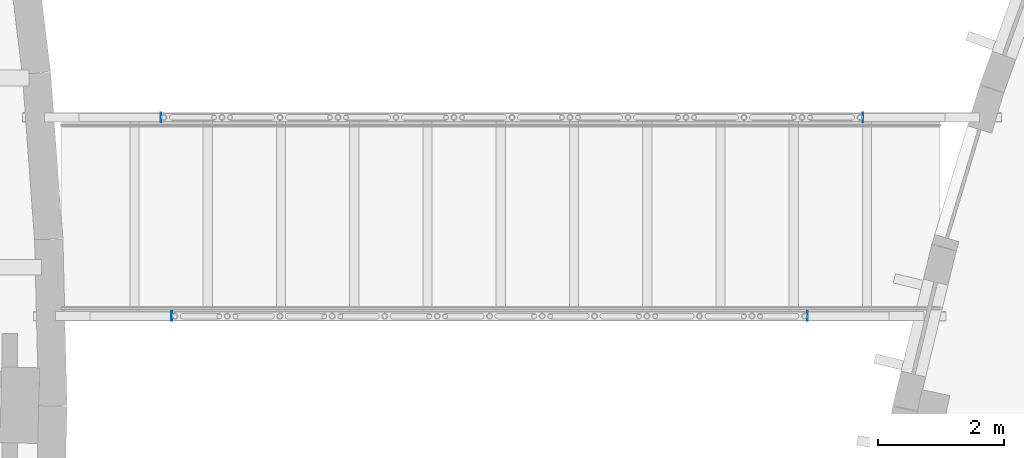
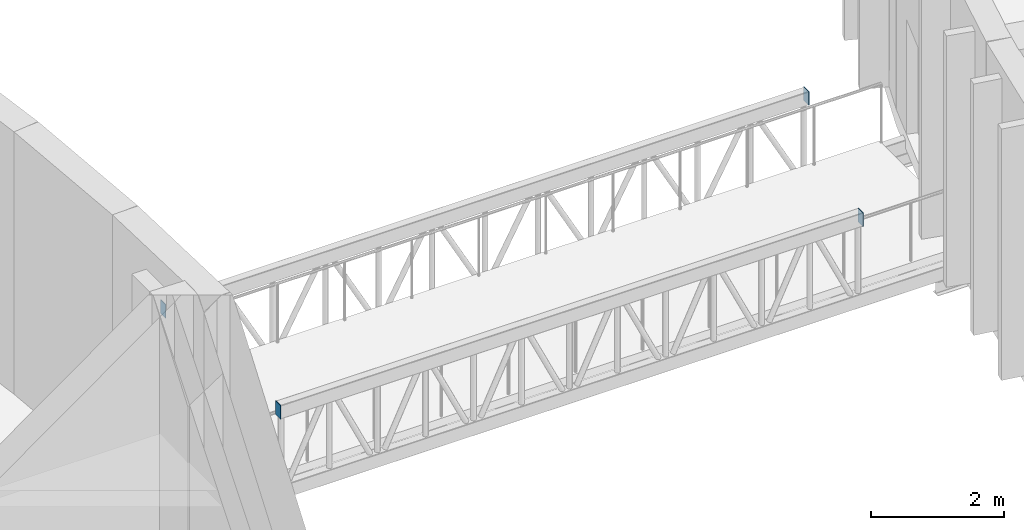
# One storey, part 50 of 93: 4 plates.
"""IFC4 building model written with IfcOpenShell, lengths in metres."""

from ifc_helpers import new_model, si_unit, direction, frame, origin, origin_2d, place, context, subcontext, project, spatial, rectangle, extrude, material, layer, layer_set, type_object, element, save


model = new_model("IFC4")

# Units and contexts
model_context = context("Model", 3, precision=1e-05, world=origin(), true_north=direction((0.0, 1.0)))
body_context = subcontext(model_context, "Body", "Model", "MODEL_VIEW")
ifc_project = project(units=[si_unit("LENGTHUNIT", "METRE"), si_unit("AREAUNIT", "SQUARE_METRE"), si_unit("VOLUMEUNIT", "CUBIC_METRE"), si_unit("PLANEANGLEUNIT", "RADIAN"), si_unit("MASSUNIT", "GRAM", prefix="KILO")], contexts=[model_context])

# Site, building, storey
site_placement = place(None, origin())
site = spatial("IfcSite", under=ifc_project, at=site_placement, CompositionType="ELEMENT")
building_placement = place(site_placement, origin())
building = spatial("IfcBuilding", under=site, at=building_placement, Name="Tide Square Theatres", CompositionType="ELEMENT")
storey_placement = place(building_placement, frame((0.0, 0.0, 5.39990234375)))
storey = spatial("IfcBuildingStorey", under=building, at=storey_placement, Name="L01", CompositionType="ELEMENT", Elevation=5.39990234375)

# Plates
ifc_material = material(Name="Steel ASTM A572 Grade 50", Category="steel")
ifc_layer = layer(ifc_material, 0.010009765625)
ifc_layer_set = layer_set([ifc_layer], Name="Steel ASTM A572 Grade 50")
plate_type = type_object("IfcPlateType", Name="Steel end plate 10 thick", PredefinedType="USERDEFINED", material=ifc_layer_set)
for number, where, z_axis, x_axis, name in (
    (1, (117.95654296875, 59.574951171875, 1.0751953125), (0.0, 0.0, 1.0), (1.0, 0.0, 0.0), "Bridge BR-E1 top chord end plate"),
    (2, (106.822998046875, 59.574951171875, 1.0751953125), (0.0, 0.0, 1.0), (-1.0, 0.0, 0.0), "Bridge BR-E1 top chord end plate"),
    (3, (117.07568359375, 56.425048828125, 1.0751953125), (0.0, 0.0, 1.0), (1.0, 0.0, 0.0), "Bridge BR-E1 top chord end plate"),
    (4, (106.9951171875, 56.425048828125, 1.0751953125), (0.0, 0.0, 1.0), (-1.0, 0.0, 0.0), "Bridge BR-E1 top chord end plate"),
):
    element("IfcPlate", number, at=place(storey_placement, frame(where, z_axis=z_axis, x_axis=x_axis)), inside=storey, type_object=plate_type, Name=name, ObjectType="END PLATE", PredefinedType="USERDEFINED", context=body_context, shape_type="SweptSolid", body=[
        extrude(rectangle(XDim=0.010009765625, YDim=0.14990234375, at=origin_2d()), origin(), (0.0, 0.0, 1.0), 0.25),
    ])

save(model, "model.ifc")
